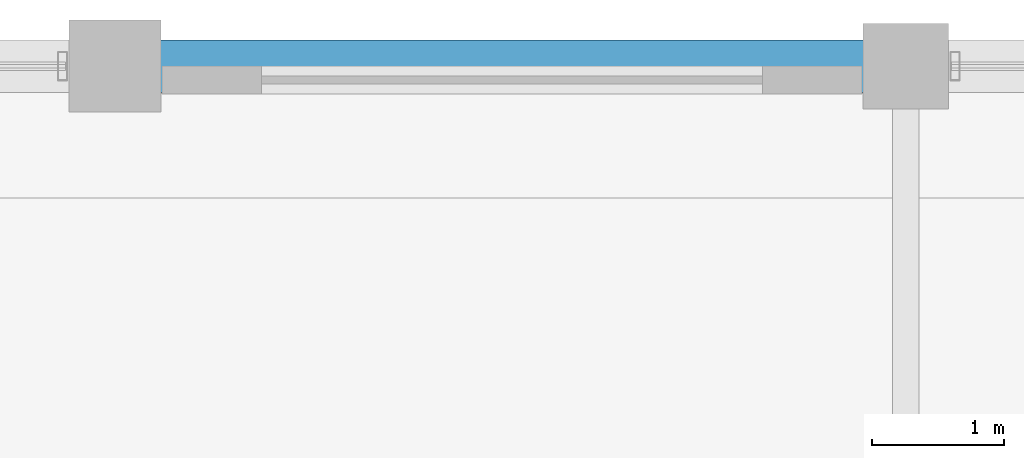
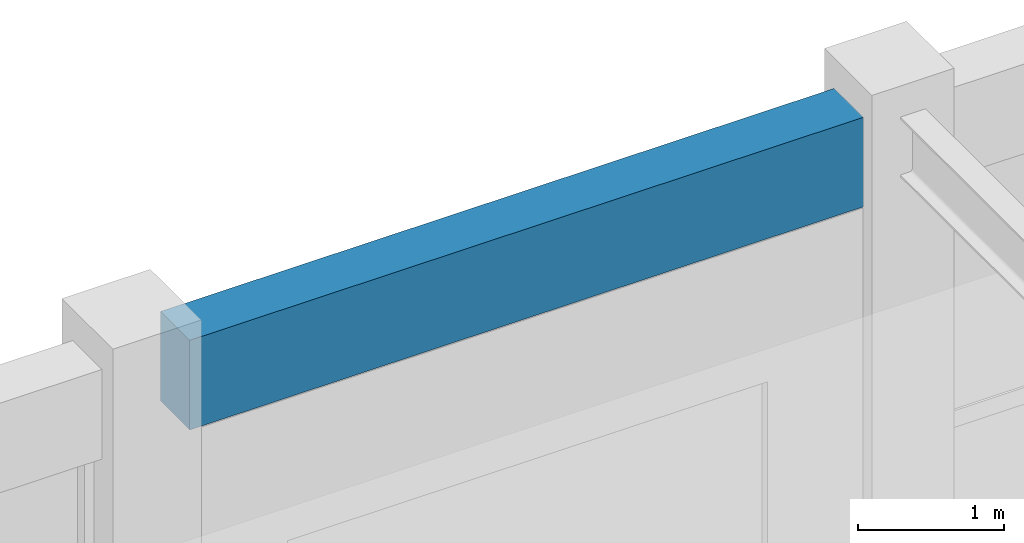
# One storey, part 38 of 116: 1 beam.
"""IFC4 building model written with IfcOpenShell, lengths in metres."""

import ifcopenshell
import ifcopenshell.guid

model = None  # the IFC model being written
_history = None  # IfcOwnerHistory: only IFC2X3 demands one
_inside = {}  # id of a spatial element -> (the spatial element, [elements in it])
_under = {}  # id of a project, library or spatial element -> (it, [spatial elements below it])
_declared = {}  # id of a project -> (the project, [libraries it declares])
_typed = {}  # id of a type object -> (the type object, [elements of that type])
_made_of = {}  # id of a material, layer set ... -> (it, [elements and type objects made of it])


def new_model(schema):
    """Start an empty IFC model of exactly this schema.

    Asked for "IFC4X3", IfcOpenShell would pick the latest addendum, in which some entities
    have other attributes; the version numbers below select the first issue.
    IFC2X3 requires an IfcOwnerHistory on every rooted entity: one is made here for all.
    """
    global model, _history
    if schema == "IFC4X3":
        model = ifcopenshell.file(schema_version=(4, 3, 0, 0))
    else:
        model = ifcopenshell.file(schema=schema)
    _inside.clear()
    _under.clear()
    _declared.clear()
    _typed.clear()
    _made_of.clear()
    _history = None
    if model.schema == "IFC2X3":
        org = make("IfcOrganization", Name="unknown")
        user = make(
            "IfcPersonAndOrganization",
            ThePerson=make("IfcPerson", FamilyName="unknown"),
            TheOrganization=org,
        )
        app = make(
            "IfcApplication",
            ApplicationDeveloper=org,
            Version="unknown",
            ApplicationFullName="unknown",
            ApplicationIdentifier="unknown",
        )
        _history = make(
            "IfcOwnerHistory",
            OwningUser=user,
            OwningApplication=app,
            ChangeAction="ADDED",
            CreationDate=0,
        )
    return model


def make(cls, **values):
    """One entity of the class cls with the attributes given. An attribute that is None is left unset."""
    return model.create_entity(
        cls, **{name: value for name, value in values.items() if value is not None}
    )


def rooted(cls, **values):
    """An entity with a GlobalId (a new one), such as an element, a storey or a relation."""
    return make(cls, GlobalId=ifcopenshell.guid.new(), OwnerHistory=_history, **values)


def si_unit(unit_type, name, prefix=None):
    """IfcSIUnit, for example si_unit("LENGTHUNIT", "METRE", prefix="MILLI")."""
    return make("IfcSIUnit", UnitType=unit_type, Prefix=prefix, Name=name)


def assignment(units):
    """IfcUnitAssignment: the units of a project."""
    return None if units is None else make("IfcUnitAssignment", Units=units)


def point(xyz):
    """IfcCartesianPoint."""
    return None if xyz is None else make("IfcCartesianPoint", Coordinates=xyz)


def direction(xyz):
    """IfcDirection."""
    return None if xyz is None else make("IfcDirection", DirectionRatios=xyz)


def frame(location, z_axis=None, x_axis=None):
    """IfcAxis2Placement3D, a coordinate frame: its origin and axes. An axis left out is left unset."""
    return make(
        "IfcAxis2Placement3D",
        Location=point(location),
        Axis=direction(z_axis),
        RefDirection=direction(x_axis),
    )


def frame_2d(location, x_axis=None):
    """IfcAxis2Placement2D, a coordinate frame in the plane: its origin and x axis."""
    return make(
        "IfcAxis2Placement2D", Location=point(location), RefDirection=direction(x_axis)
    )


def origin():
    """The frame at (0, 0, 0) with its axes left unset."""
    return frame((0.0, 0.0, 0.0))


def origin_2d():
    """The frame at (0, 0) in the plane with its x axis left unset."""
    return frame_2d((0.0, 0.0))


def place(relative_to, where):
    """IfcLocalPlacement: puts the frame where relative to a parent placement (None: the world)."""
    return make(
        "IfcLocalPlacement", PlacementRelTo=relative_to, RelativePlacement=where
    )


def context(
    kind, dimensions, precision=None, world=None, true_north=None, identifier=None
):
    """IfcGeometricRepresentationContext, for example the 3D "Model" context."""
    return make(
        "IfcGeometricRepresentationContext",
        ContextIdentifier=identifier,
        ContextType=kind,
        CoordinateSpaceDimension=dimensions,
        Precision=precision,
        WorldCoordinateSystem=world,
        TrueNorth=true_north,
    )


def subcontext(parent, identifier, kind, view, scale=None):
    """IfcGeometricRepresentationSubContext, for example "Body" below "Model"."""
    return make(
        "IfcGeometricRepresentationSubContext",
        ContextIdentifier=identifier,
        ContextType=kind,
        ParentContext=parent,
        TargetScale=scale,
        TargetView=view,
    )


def project(units=None, contexts=None):
    """IfcProject with its units and contexts."""
    return rooted(
        "IfcProject",
        Name="project",
        RepresentationContexts=contexts,
        UnitsInContext=assignment(units),
    )


def spatial(cls, under=None, at=None, **own):
    """A site, building, storey or space (cls), placed at a placement, below another one or the project."""
    s = rooted(cls, ObjectPlacement=at, **own)
    if under is not None:
        _under.setdefault(under.id(), (under, []))[1].append(s)
    return s


def profile(cls, at=None, kind="AREA", **sizes):
    """A parametric profile (cls). Its sizes go by their IFC names, for example OverallWidth=200.0."""
    return make(cls, ProfileType=kind, Position=at, **sizes)


def rectangle(**sizes):
    """IfcRectangleProfileDef."""
    return profile("IfcRectangleProfileDef", **sizes)


def extrude(swept, where, along, depth):
    """IfcExtrudedAreaSolid: the profile swept, set in the frame where, extruded along a direction by depth."""
    return make(
        "IfcExtrudedAreaSolid",
        SweptArea=swept,
        Position=where,
        ExtrudedDirection=direction(along),
        Depth=depth,
    )


def shape(context_of_items, identifier, shape_type, items):
    """IfcShapeRepresentation: the items that make up one representation, for example the "Body"."""
    return make(
        "IfcShapeRepresentation",
        ContextOfItems=context_of_items,
        RepresentationIdentifier=identifier,
        RepresentationType=shape_type,
        Items=items,
    )


def material(Name=None, Category=None):
    """IfcMaterial."""
    return make("IfcMaterial", Name=Name, Category=Category)


def material_profile(
    of_material, cross_section, Name=None, Category=None, Priority=None
):
    """IfcMaterialProfile: a cross section and its material."""
    return make(
        "IfcMaterialProfile",
        Name=Name,
        Material=of_material,
        Profile=cross_section,
        Priority=Priority,
        Category=Category,
    )


def profile_set(profiles, Name=None, composite=None):
    """IfcMaterialProfileSet."""
    return make(
        "IfcMaterialProfileSet",
        Name=Name,
        MaterialProfiles=profiles,
        CompositeProfile=composite,
    )


def made_of(thing, what):
    """Note that an element or type object is made of a material, layer set ...; save() writes the relation."""
    if what is not None:
        _made_of.setdefault(what.id(), (what, []))[1].append(thing)
    return thing


def type_object(cls, material=None, **own):
    """A type object (cls), such as IfcWallType, which elements share."""
    return made_of(rooted(cls, **own), material)


def element(
    cls,
    number,
    at=None,
    inside=None,
    cuts=None,
    type_object=None,
    material=None,
    context=None,
    identifier="Body",
    shape_type=None,
    held_by="IfcProductDefinitionShape",
    body=None,
    shapes=None,
    **own,
):
    """One element of the class cls, such as IfcWall. Its Tag is "e" and its number.

    at: its placement. inside: the storey or other place that contains it. cuts: it is an
    opening in that element (IfcRelVoidsElement). A single representation is given by context,
    identifier, shape_type and body (its items); several are given by shapes. held_by: the class
    of the entity that holds the representations. save() writes the other relations.
    """
    e = rooted(cls, Tag="e%d" % number, ObjectPlacement=at, **own)
    if body is not None:
        shapes = [shape(context, identifier, shape_type, body)]
    if shapes is not None:
        e.Representation = make(held_by, Representations=shapes)
    if inside is not None:
        _inside.setdefault(inside.id(), (inside, []))[1].append(e)
    if cuts is not None:
        rooted(
            "IfcRelVoidsElement", RelatingBuildingElement=cuts, RelatedOpeningElement=e
        )
    if type_object is not None:
        _typed.setdefault(type_object.id(), (type_object, []))[1].append(e)
    return made_of(e, material)


def aggregate(whole, parts):
    """IfcRelAggregates: a whole, such as a stair, and the parts it consists of."""
    return rooted("IfcRelAggregates", RelatingObject=whole, RelatedObjects=parts)


def save(model, path):
    """Write the relations noted so far, then the file.

    IfcRelAggregates (storeys below a building ...), IfcRelContainedInSpatialStructure (elements
    in a storey), IfcRelDefinesByType, IfcRelAssociatesMaterial and IfcRelDeclares: one each for
    every whole, place, type object, material and project.
    """
    for whole, parts in _under.values():
        aggregate(whole, parts)
    for where, things in _inside.values():
        rooted(
            "IfcRelContainedInSpatialStructure",
            RelatedElements=things,
            RelatingStructure=where,
        )
    for kind, things in _typed.values():
        rooted("IfcRelDefinesByType", RelatedObjects=things, RelatingType=kind)
    for what, things in _made_of.values():
        rooted("IfcRelAssociatesMaterial", RelatedObjects=things, RelatingMaterial=what)
    for by, libraries in _declared.values():
        rooted("IfcRelDeclares", RelatingContext=by, RelatedDefinitions=libraries)
    model.write(path)


model = new_model("IFC4")

# Units and contexts
model_context = context("Model", 3, precision=1e-05, world=origin(), true_north=direction((0.0, 1.0)))
body_context = subcontext(model_context, "Body", "Model", "MODEL_VIEW")
ifc_project = project(units=[si_unit("LENGTHUNIT", "METRE"), si_unit("AREAUNIT", "SQUARE_METRE"), si_unit("VOLUMEUNIT", "CUBIC_METRE"), si_unit("PLANEANGLEUNIT", "RADIAN"), si_unit("MASSUNIT", "GRAM", prefix="KILO"), si_unit("THERMODYNAMICTEMPERATUREUNIT", "KELVIN"), si_unit("POWERUNIT", "WATT")], contexts=[model_context])

# Site, building, storey
site_placement = place(None, origin())
site = spatial("IfcSite", under=ifc_project, at=site_placement, CompositionType="ELEMENT")
building_placement = place(site_placement, origin())
building = spatial("IfcBuilding", under=site, at=building_placement, Name="Phaisarnlok Congress Hotel", CompositionType="ELEMENT")
storey_placement = place(building_placement, frame((0.0, 0.0, 10.5)))
storey = spatial("IfcBuildingStorey", under=building, at=storey_placement, Name="L02", CompositionType="ELEMENT", Elevation=10.5)

# Beam
ifc_material = material(Name="Concrete C40/50", Category="concrete")
ifc_material_profile = material_profile(ifc_material, rectangle(XDim=0.39990234375, YDim=0.75, at=origin_2d()), Name="RC 400x750")
ifc_profile_set = profile_set([ifc_material_profile], Name="Concrete C40/50")
beam_type = type_object("IfcBeamType", Name="SP-RC-400x750", PredefinedType="SPANDREL", material=ifc_profile_set)
beam_placement = place(storey_placement, frame((90.344970703125, 126.0, 3.864990234375), z_axis=(1.0, 0.0, 0.0), x_axis=(0.0, 1.0, 0.0)))
element("IfcBeam", 1, at=beam_placement, inside=storey, type_object=beam_type, Name="Beam SP-02", PredefinedType="SPANDREL", context=body_context, shape_type="SweptSolid", body=[
    extrude(rectangle(XDim=0.39990234375, YDim=0.75, at=origin_2d()), origin(), (0.0, 0.0, 1.0), 5.3349609375),
])

save(model, "model.ifc")
